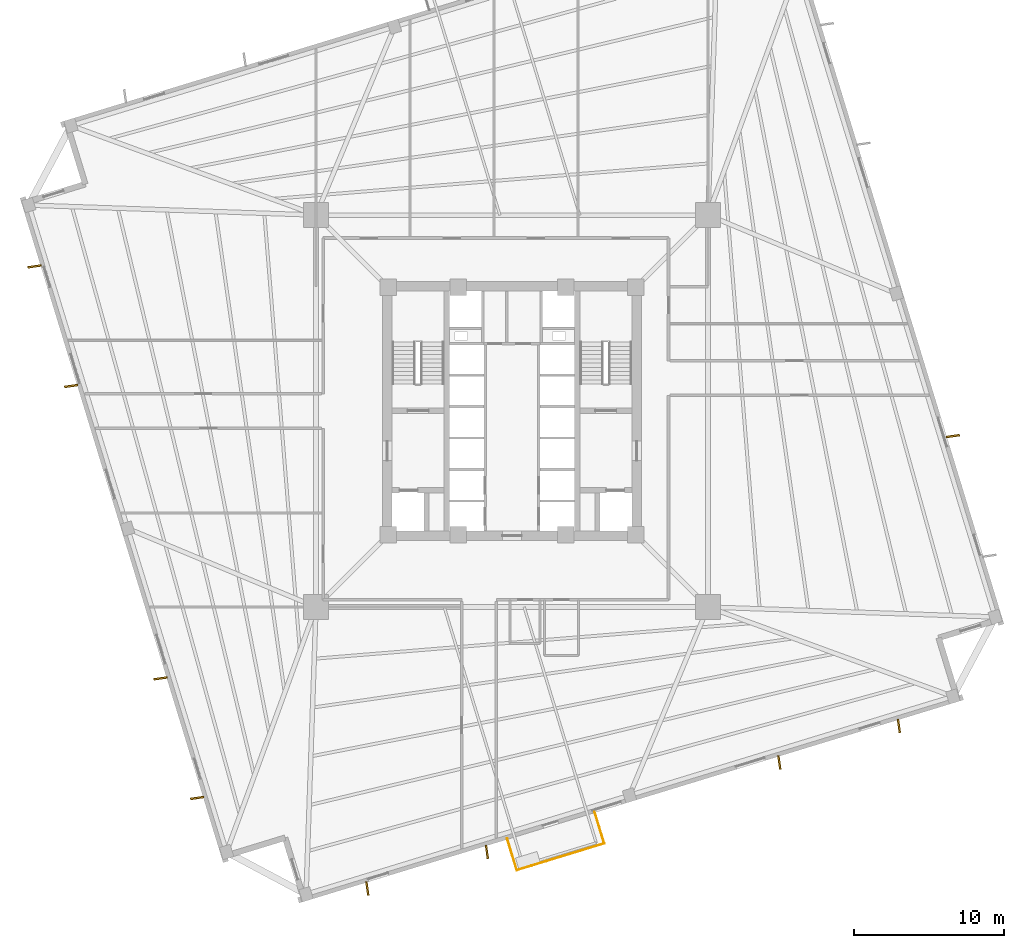
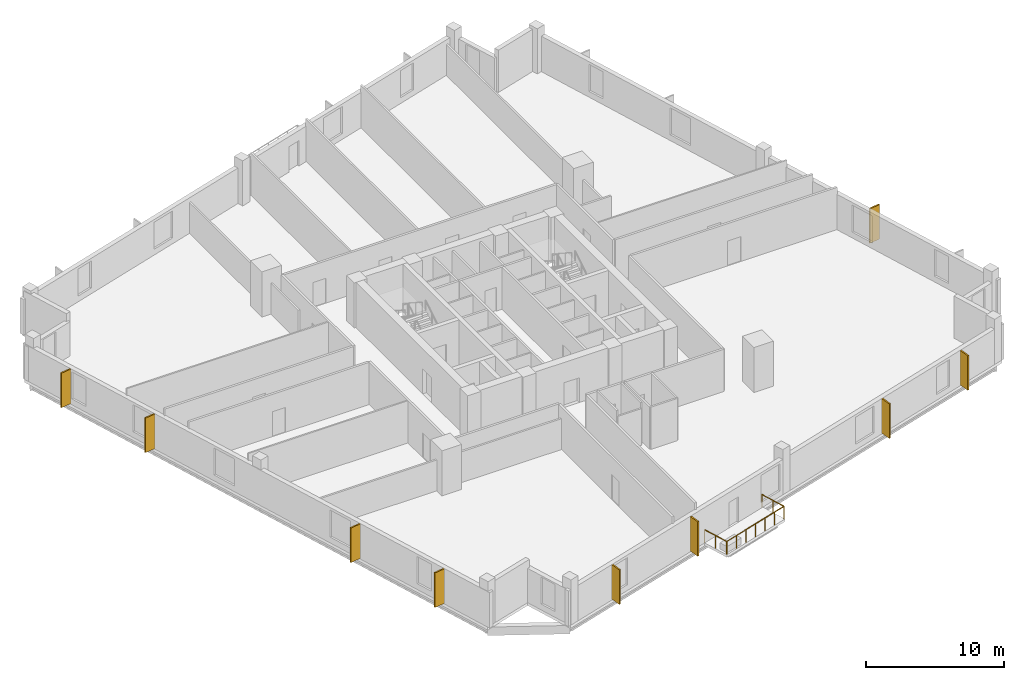
# One storey, part 6 of 8: 9 coverings, 3 railings.
"""IFC4 building model written with IfcOpenShell, lengths in metres."""

from ifc_helpers import new_model, si_unit, direction, frame, origin, origin_2d, place, context, subcontext, project, spatial, rectangle, circle, extrude, source, transform, mapped, material, layer, layer_set, type_object, element, save


model = new_model("IFC4")

# Units and contexts
model_context = context("Model", 3, precision=1e-05, world=origin(), true_north=direction((0.0, 1.0)))
body_context = subcontext(model_context, "Body", "Model", "MODEL_VIEW")
ifc_project = project(units=[si_unit("LENGTHUNIT", "METRE"), si_unit("AREAUNIT", "SQUARE_METRE"), si_unit("VOLUMEUNIT", "CUBIC_METRE"), si_unit("PLANEANGLEUNIT", "RADIAN"), si_unit("MASSUNIT", "GRAM", prefix="KILO"), si_unit("THERMODYNAMICTEMPERATUREUNIT", "KELVIN")], contexts=[model_context])

# Site, building, storey
site_placement = place(None, origin())
site = spatial("IfcSite", under=ifc_project, at=site_placement, CompositionType="ELEMENT")
building_placement = place(site_placement, origin())
building = spatial("IfcBuilding", under=site, at=building_placement, Name="Kosmvard Interchange Tower", CompositionType="ELEMENT")
storey_placement = place(building_placement, frame((0.0, 0.0, 91.199951171875)))
storey = spatial("IfcBuildingStorey", under=building, at=storey_placement, Name="L21", CompositionType="ELEMENT", Elevation=91.199951171875)

# Railings
ifc_material_1 = material(Name="Steel S355", Category="steel")
railing_type = type_object("IfcRailingType", Name="Observation & Balcony Glass-Infill Balustrade 1150", PredefinedType="BALUSTRADE", material=ifc_material_1)
shared_shape_1 = source(origin(), body_context, "Body", "SweptSolid", [
    extrude(circle(Radius=0.02392578125, at=origin_2d()), frame((0.0, 0.0, 1.1259765625), z_axis=(-0.292424349234, 0.956288659336, 0.0), x_axis=(-0.956288659336, -0.292424349234, 0.0)), (0.0, 0.0, 1.0), 2.199951171875),
    extrude(circle(Radius=0.02099609375, at=origin_2d()), origin(), (0.0, 0.0, 1.0), 1.101806640625),
    extrude(circle(Radius=0.02099609375, at=origin_2d()), frame((-0.32177734375, 1.0517578125, 0.0)), (0.0, 0.0, 1.0), 1.101806640625),
    extrude(circle(Radius=0.02099609375, at=origin_2d()), frame((-0.643310546875, 2.103759765625, 0.0)), (0.0, 0.0, 1.0), 1.101806640625),
])
railing_1_placement = place(storey_placement, frame((6.1572265625, -28.86083984375, 0.0)))
element("IfcRailing", 1, at=railing_1_placement, inside=storey, type_object=railing_type, Name="L21 Outdoor Terrace Guard BAL-L21-S-C", PredefinedType="BALUSTRADE", context=body_context, shape_type="MappedRepresentation", body=[
    mapped(shared_shape_1, transform((0.0, 0.0, 0.0), scale=1.0)),
])
shared_shape_2 = source(origin(), body_context, "Body", "SweptSolid", [
    extrude(circle(Radius=0.02392578125, at=origin_2d()), frame((0.0, 0.0, 1.1259765625), z_axis=(0.292424349234, -0.956288659336, 0.0), x_axis=(0.956288659336, 0.292424349234, 0.0)), (0.0, 0.0, 1.0), 2.199951171875),
    extrude(circle(Radius=0.02099609375, at=origin_2d()), origin(), (0.0, 0.0, 1.0), 1.101806640625),
    extrude(circle(Radius=0.02099609375, at=origin_2d()), frame((0.32177734375, -1.0517578125, 0.0)), (0.0, 0.0, 1.0), 1.101806640625),
    extrude(circle(Radius=0.02099609375, at=origin_2d()), frame((0.643310546875, -2.103759765625, 0.0)), (0.0, 0.0, 1.0), 1.101806640625),
])
railing_2_placement = place(storey_placement, frame((-0.319580078125, -28.54052734375, 0.0)))
element("IfcRailing", 2, at=railing_2_placement, inside=storey, type_object=railing_type, Name="L21 Outdoor Terrace Guard BAL-L21-S-A", PredefinedType="BALUSTRADE", context=body_context, shape_type="MappedRepresentation", body=[
    mapped(shared_shape_2, transform((0.0, 0.0, 0.0), scale=1.0)),
])

# Coverings
ifc_material_2 = material(Name="Architectural anodised aluminium", Category="aluminium")
ifc_layer = layer(ifc_material_2, 0.1201171875, Name="Architectural anodised aluminium")
ifc_layer_set = layer_set([ifc_layer], Name="Architectural anodised aluminium")
covering_type = type_object("IfcCoveringType", Name="Rotating Vertical Sun-Breaker Fin 900x120 Aluminium", PredefinedType="CLADDING", material=ifc_layer_set)
shared_shape_3 = source(origin(), body_context, "Body", "SweptSolid", [
    extrude(rectangle(XDim=0.89990234375, YDim=0.1201171875, at=origin_2d()), origin(), (0.0, 0.0, 1.0), 3.06005859375),
])
for number, where, z_axis, x_axis, name in (
    (3, (-9.6572265625, -31.865966796875, 0.0400390625), (0.0, 0.0, 1.0), (0.142801680073, -0.989751322388, 0.0), "L21 Rotating Vertical Sun-Breaker Fin 01"),
    (4, (-1.673583984375, -29.425048828125, 0.0400390625), (0.0, 0.0, 1.0), (0.142801680073, -0.989751322388, 0.0), "L21 Rotating Vertical Sun-Breaker Fin 02"),
    (5, (17.841796875, -23.45849609375, 0.0400390625), (0.0, 0.0, 1.0), (0.142801680073, -0.989751322388, 0.0), "L21 Rotating Vertical Sun-Breaker Fin 03"),
    (6, (25.825439453125, -21.017822265625, 0.0400390625), (0.0, 0.0, 1.0), (0.142801680073, -0.989751322388, 0.0), "L21 Rotating Vertical Sun-Breaker Fin 04"),
    (7, (29.425048828125, -1.673583984375, 0.0400390625), (0.0, 0.0, 1.0), (0.989751322388, 0.142801680073, 0.0), "L21 Rotating Vertical Sun-Breaker Fin 06"),
    (8, (-31.865966796875, 9.6572265625, 0.0400390625), (0.0, 0.0, 1.0), (-0.989751322388, -0.142801680073, 0.0), "L21 Rotating Vertical Sun-Breaker Fin 13"),
    (9, (-29.425048828125, 1.673583984375, 0.0400390625), (0.0, 0.0, 1.0), (-0.989751322388, -0.142801680073, 0.0), "L21 Rotating Vertical Sun-Breaker Fin 14"),
    (10, (-23.45849609375, -17.841796875, 0.0400390625), (0.0, 0.0, 1.0), (-0.989751322388, -0.142801680073, 0.0), "L21 Rotating Vertical Sun-Breaker Fin 15"),
    (11, (-21.017822265625, -25.825439453125, 0.0400390625), (0.0, 0.0, 1.0), (-0.989751322388, -0.142801680073, 0.0), "L21 Rotating Vertical Sun-Breaker Fin 16"),
):
    element("IfcCovering", number, at=place(storey_placement, frame(where, z_axis=z_axis, x_axis=x_axis)), inside=storey, type_object=covering_type, Name=name, PredefinedType="CLADDING", context=body_context, shape_type="MappedRepresentation", body=[
        mapped(shared_shape_3, transform((0.0, 0.0, 0.0), scale=1.0)),
    ])

# Railing
shared_shape_4 = source(origin(), body_context, "Body", "SweptSolid", [
    extrude(circle(Radius=0.02392578125, at=origin_2d()), frame((0.0, 0.0, 1.1259765625), z_axis=(0.956306198406, 0.292366986664, 0.0), x_axis=(-0.292366986664, 0.956306198406, 0.0)), (0.0, 0.0, 1.0), 6.10009765625),
    extrude(circle(Radius=0.02099609375, at=origin_2d()), origin(), (0.0, 0.0, 1.0), 1.101806640625),
    extrude(circle(Radius=0.02099609375, at=origin_2d()), frame((0.97216796875, 0.29736328125, 0.0)), (0.0, 0.0, 1.0), 1.101806640625),
    extrude(circle(Radius=0.02099609375, at=origin_2d()), frame((1.944580078125, 0.594482421875, 0.0)), (0.0, 0.0, 1.0), 1.101806640625),
    extrude(circle(Radius=0.02099609375, at=origin_2d()), frame((2.916748046875, 0.8916015625, 0.0)), (0.0, 0.0, 1.0), 1.101806640625),
    extrude(circle(Radius=0.02099609375, at=origin_2d()), frame((3.888916015625, 1.18896484375, 0.0)), (0.0, 0.0, 1.0), 1.101806640625),
    extrude(circle(Radius=0.02099609375, at=origin_2d()), frame((4.861328125, 1.486328125, 0.0)), (0.0, 0.0, 1.0), 1.101806640625),
    extrude(circle(Radius=0.02099609375, at=origin_2d()), frame((5.83349609375, 1.783447265625, 0.0)), (0.0, 0.0, 1.0), 1.101806640625),
])
railing_3_placement = place(storey_placement, frame((0.32373046875, -30.644287109375, 0.0)))
element("IfcRailing", 12, at=railing_3_placement, inside=storey, type_object=railing_type, Name="L21 Outdoor Terrace Guard BAL-L21-S-B", PredefinedType="BALUSTRADE", context=body_context, shape_type="MappedRepresentation", body=[
    mapped(shared_shape_4, transform((0.0, 0.0, 0.0), scale=1.0)),
])

save(model, "model.ifc")
